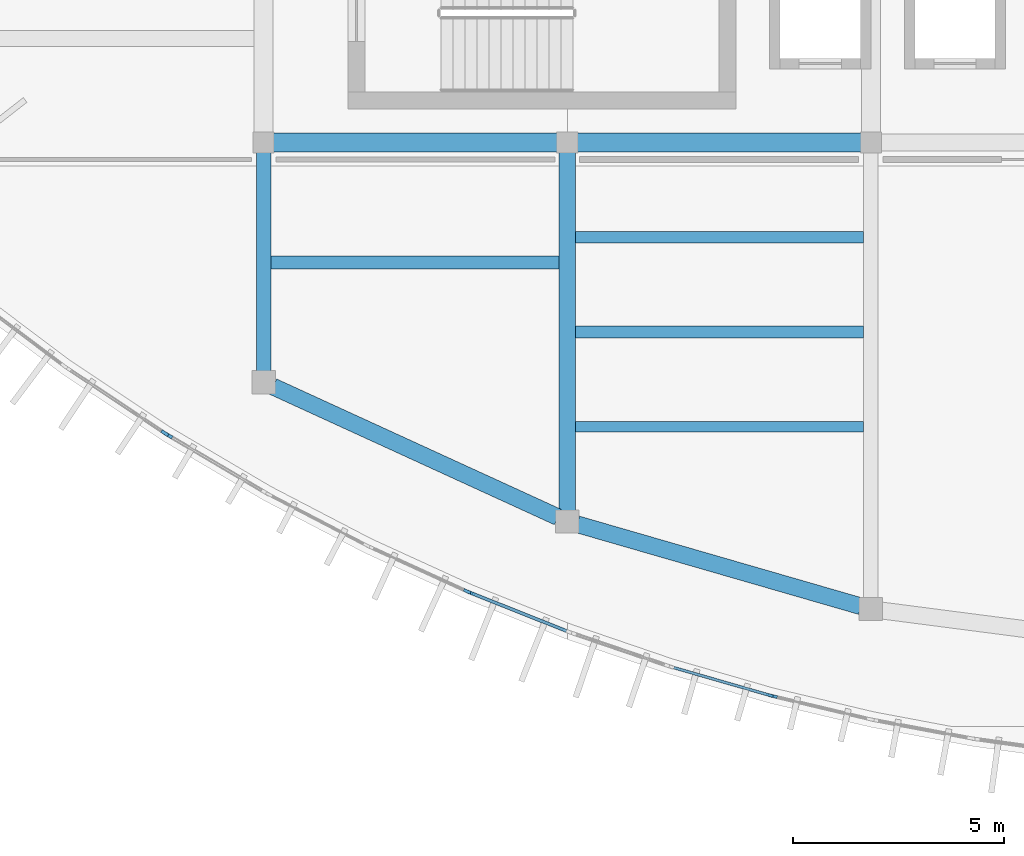
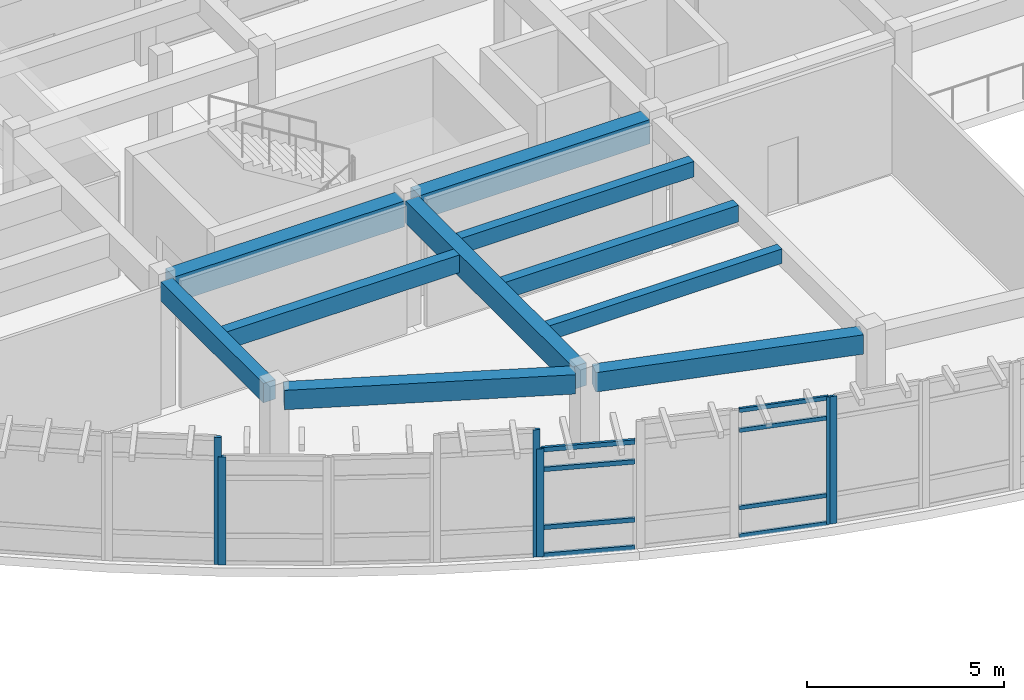
# One storey, part 19 of 60: 14 members, 10 beams, 6 elements without a shape of their own.
"""IFC4 building model written with IfcOpenShell, lengths in metres."""

from ifc_helpers import new_model, si_unit, direction, frame, origin, origin_2d, place, context, subcontext, project, spatial, rectangle, extrude, material, layer, layer_set, material_profile, profile_set, type_object, element, aggregate, save


model = new_model("IFC4")

# Units and contexts
model_context = context("Model", 3, precision=1e-05, world=origin(), true_north=direction((0.0, 1.0)))
body_context = subcontext(model_context, "Body", "Model", "MODEL_VIEW")
ifc_project = project(units=[si_unit("LENGTHUNIT", "METRE"), si_unit("AREAUNIT", "SQUARE_METRE"), si_unit("VOLUMEUNIT", "CUBIC_METRE"), si_unit("PLANEANGLEUNIT", "RADIAN"), si_unit("MASSUNIT", "GRAM", prefix="KILO")], contexts=[model_context])

# Site, building, storey
site_placement = place(None, origin())
site = spatial("IfcSite", under=ifc_project, at=site_placement, CompositionType="ELEMENT")
building_placement = place(site_placement, origin())
building = spatial("IfcBuilding", under=site, at=building_placement, Name="Brisavento Harbour Community Centre", CompositionType="ELEMENT")
storey_placement = place(building_placement, frame((0.0, 0.0, 4.5)))
storey = spatial("IfcBuildingStorey", under=building, at=storey_placement, Name="L01", CompositionType="ELEMENT", Elevation=4.5)

# Beams
ifc_material_1 = material(Name="Concrete C35/45", Category="concrete")
ifc_material_profile_1 = material_profile(ifc_material_1, rectangle(XDim=0.25, YDim=0.449951171875, at=origin_2d()), Name="Concrete C35/45")
ifc_profile_set_1 = profile_set([ifc_material_profile_1], Name="Concrete C35/45")
beam_type_1 = type_object("IfcBeamType", Name="BM-JST-250x450", PredefinedType="JOIST", material=ifc_profile_set_1)
beam_1_placement = place(storey_placement, frame((122.60009765625, 8.26123046875, 3.72509765625), z_axis=(1.0, 0.0, 0.0), x_axis=(0.0, 1.0, 0.0)))
element("IfcBeam", 1, at=beam_1_placement, inside=storey, type_object=beam_type_1, Name="L01 secondary floor joist 0255", PredefinedType="JOIST", context=body_context, shape_type="SweptSolid", body=[
    extrude(rectangle(XDim=0.25, YDim=0.449951171875, at=origin_2d()), origin(), (0.0, 0.0, 1.0), 6.824951171875),
])
ifc_material_profile_2 = material_profile(ifc_material_1, rectangle(XDim=0.280029296875, YDim=0.47998046875, at=origin_2d()), Name="Concrete C35/45")
ifc_profile_set_2 = profile_set([ifc_material_profile_2], Name="Concrete C35/45")
beam_type_2 = type_object("IfcBeamType", Name="BM-JST-280x480", PredefinedType="JOIST", material=ifc_profile_set_2)
beam_2_placement = place(storey_placement, frame((122.60009765625, 12.75390625, 3.7099609375), z_axis=(1.0, 0.0, 0.0), x_axis=(0.0, 1.0, 0.0)))
element("IfcBeam", 2, at=beam_2_placement, inside=storey, type_object=beam_type_2, Name="L01 secondary floor joist 0257", PredefinedType="JOIST", context=body_context, shape_type="SweptSolid", body=[
    extrude(rectangle(XDim=0.280029296875, YDim=0.47998046875, at=origin_2d()), origin(), (0.0, 0.0, 1.0), 6.824951171875),
])
ifc_material_profile_3 = material_profile(ifc_material_1, rectangle(XDim=0.280029296875, YDim=0.52001953125, at=origin_2d()), Name="Concrete C35/45")
ifc_profile_set_3 = profile_set([ifc_material_profile_3], Name="Concrete C35/45")
beam_type_3 = type_object("IfcBeamType", Name="BM-JST-280x520", PredefinedType="JOIST", material=ifc_profile_set_3)
beam_3_placement = place(storey_placement, frame((122.60009765625, 10.507568359375, 3.68994140625), z_axis=(1.0, 0.0, 0.0), x_axis=(0.0, 1.0, 0.0)))
element("IfcBeam", 3, at=beam_3_placement, inside=storey, type_object=beam_type_3, Name="L01 secondary floor joist 0256", PredefinedType="JOIST", context=body_context, shape_type="SweptSolid", body=[
    extrude(rectangle(XDim=0.280029296875, YDim=0.52001953125, at=origin_2d()), origin(), (0.0, 0.0, 1.0), 6.824951171875),
])
ifc_material_profile_4 = material_profile(ifc_material_1, rectangle(XDim=0.300048828125, YDim=0.550048828125, at=origin_2d()), Name="Concrete C35/45")
ifc_profile_set_4 = profile_set([ifc_material_profile_4], Name="Concrete C35/45")
beam_type_4 = type_object("IfcBeamType", Name="BM-JST-300x550", PredefinedType="JOIST", material=ifc_profile_set_4)
beam_4_placement = place(storey_placement, frame((115.375, 12.156982421875, 3.675048828125), z_axis=(1.0, 0.0, 0.0), x_axis=(0.0, 1.0, 0.0)))
element("IfcBeam", 4, at=beam_4_placement, inside=storey, type_object=beam_type_4, Name="L01 secondary floor joist 0253", PredefinedType="JOIST", context=body_context, shape_type="SweptSolid", body=[
    extrude(rectangle(XDim=0.300048828125, YDim=0.550048828125, at=origin_2d()), origin(), (0.0, 0.0, 1.0), 6.824951171875),
])
ifc_material_profile_5 = material_profile(ifc_material_1, rectangle(XDim=0.35009765625, YDim=0.60009765625, at=origin_2d()), Name="Concrete C35/45")
ifc_profile_set_5 = profile_set([ifc_material_profile_5], Name="Concrete C35/45")
beam_type_5 = type_object("IfcBeamType", Name="BM-RC-350x600", PredefinedType="BEAM", material=ifc_profile_set_5)
beam_5_placement = place(storey_placement, frame((115.199951171875, 9.55908203125, 3.64990234375), z_axis=(0.0, 1.0, 0.0), x_axis=(-1.0, 0.0, 0.0)))
element("IfcBeam", 5, at=beam_5_placement, inside=storey, type_object=beam_type_5, Name="L01 primary girder Y0504", PredefinedType="BEAM", context=body_context, shape_type="SweptSolid", body=[
    extrude(rectangle(XDim=0.35009765625, YDim=0.60009765625, at=origin_2d()), origin(), (0.0, 0.0, 1.0), 5.220947265625),
])
ifc_material_profile_6 = material_profile(ifc_material_1, rectangle(XDim=0.39990234375, YDim=0.699951171875, at=origin_2d()), Name="Concrete C35/45")
ifc_profile_set_6 = profile_set([ifc_material_profile_6], Name="Concrete C35/45")
beam_type_6 = type_object("IfcBeamType", Name="BM-RC-400x700", PredefinedType="BEAM", material=ifc_profile_set_6)
beam_6_placement = place(storey_placement, frame((122.39990234375, 6.260009765625, 3.60009765625), z_axis=(0.0, 1.0, 0.0), x_axis=(-1.0, 0.0, 0.0)))
element("IfcBeam", 6, at=beam_6_placement, inside=storey, type_object=beam_type_6, Name="L01 primary girder Y0507", PredefinedType="BEAM", context=body_context, shape_type="SweptSolid", body=[
    extrude(rectangle(XDim=0.39990234375, YDim=0.699951171875, at=origin_2d()), origin(), (0.0, 0.0, 1.0), 8.52001953125),
])
ifc_material_profile_7 = material_profile(ifc_material_1, rectangle(XDim=0.449951171875, YDim=0.75, at=origin_2d()), Name="Concrete C35/45")
ifc_profile_set_7 = profile_set([ifc_material_profile_7], Name="Concrete C35/45")
beam_type_7 = type_object("IfcBeamType", Name="BM-RC-450x750", PredefinedType="BEAM", material=ifc_profile_set_7)
beam_7_placement = place(storey_placement, frame((122.6201171875, 15.0, 3.574951171875), z_axis=(1.0, 0.0, 0.0), x_axis=(0.0, 1.0, 0.0)))
element("IfcBeam", 7, at=beam_7_placement, inside=storey, type_object=beam_type_7, Name="L01 primary girder X0411", PredefinedType="BEAM", context=body_context, shape_type="SweptSolid", body=[
    extrude(rectangle(XDim=0.449951171875, YDim=0.75, at=origin_2d()), origin(), (0.0, 0.0, 1.0), 6.759765625),
])
ifc_material_profile_8 = material_profile(ifc_material_1, rectangle(XDim=0.449951171875, YDim=0.800048828125, at=origin_2d()), Name="Concrete C35/45")
ifc_profile_set_8 = profile_set([ifc_material_profile_8], Name="Concrete C35/45")
beam_type_8 = type_object("IfcBeamType", Name="BM-RC-450x800", PredefinedType="BEAM", material=ifc_profile_set_8)
beam_8_placement = place(storey_placement, frame((115.419921875, 15.0, 3.550048828125), z_axis=(1.0, 0.0, 0.0), x_axis=(0.0, 1.0, 0.0)))
element("IfcBeam", 8, at=beam_8_placement, inside=storey, type_object=beam_type_8, Name="L01 primary girder X0410", PredefinedType="BEAM", context=body_context, shape_type="SweptSolid", body=[
    extrude(rectangle(XDim=0.449951171875, YDim=0.800048828125, at=origin_2d()), origin(), (0.0, 0.0, 1.0), 6.760009765625),
])
ifc_material_profile_9 = material_profile(ifc_material_1, rectangle(XDim=0.39990234375, YDim=0.60009765625, at=origin_2d()), Name="Concrete C35/45")
ifc_profile_set_9 = profile_set([ifc_material_profile_9], Name="Concrete C35/45")
beam_type_9 = type_object("IfcBeamType", Name="BM-SPN-400x600", PredefinedType="SPANDREL", material=ifc_profile_set_9)
beam_9_placement = place(storey_placement, frame((115.422607421875, 9.2119140625, 3.64990234375), z_axis=(0.909123414107, -0.416526851383, 0.0), x_axis=(0.416526851383, 0.909123414107, 0.0)))
element("IfcBeam", 9, at=beam_9_placement, inside=storey, type_object=beam_type_9, Name="L01 curved perimeter spandrel 0537", PredefinedType="SPANDREL", context=body_context, shape_type="SweptSolid", body=[
    extrude(rectangle(XDim=0.39990234375, YDim=0.60009765625, at=origin_2d()), origin(), (0.0, 0.0, 1.0), 7.429931640625),
])
beam_10_placement = place(storey_placement, frame((122.635498046875, 5.947021484375, 3.64990234375), z_axis=(0.960671007691, -0.277689061689, 0.0), x_axis=(0.277689061689, 0.960671007691, 0.0)))
element("IfcBeam", 10, at=beam_10_placement, inside=storey, type_object=beam_type_9, Name="L01 curved perimeter spandrel 0538", PredefinedType="SPANDREL", context=body_context, shape_type="SweptSolid", body=[
    extrude(rectangle(XDim=0.39990234375, YDim=0.60009765625, at=origin_2d()), origin(), (0.0, 0.0, 1.0), 7.00439453125),
])

# Curtain wall, member
ifc_material_2 = material(Name="Marine-anodised aluminium AW-6063-T6", Category="aluminium")
ifc_layer_1 = layer(ifc_material_2, 0.179931640625, Name="Marine-anodised aluminium AW-6063-T6")
ifc_layer_set_1 = layer_set([ifc_layer_1], Name="Marine-anodised aluminium AW-6063-T6")
curtain_wall_type_1 = type_object("IfcCurtainWallType", Name="CW-SYS-09", PredefinedType="USERDEFINED", material=ifc_layer_set_1)
curtain_wall_1_placement = place(storey_placement, origin())
curtain_wall_1 = element("IfcCurtainWall", 11, at=curtain_wall_1_placement, inside=storey, type_object=curtain_wall_type_1, Name="L01 V3 unitised curtain wall 065", ObjectType="UNITISED CURTAIN WALL", PredefinedType="USERDEFINED")
ifc_material_profile_10 = material_profile(ifc_material_2, rectangle(XDim=0.06494140625, YDim=0.1650390625, at=origin_2d()), Name="Marine-anodised aluminium AW-6063-T6")
ifc_profile_set_10 = profile_set([ifc_material_profile_10], Name="Marine-anodised aluminium AW-6063-T6")
member_type_1 = type_object("IfcMemberType", Name="CWM-01", PredefinedType="MULLION", material=ifc_profile_set_10)
member_1_placement = place(storey_placement, frame((127.201416015625, 1.89013671875, 0.0), z_axis=(0.0, 0.0, 1.0), x_axis=(-0.277000545402, -0.960869761126, 0.0)))
member_1 = element("IfcMember", 12, at=member_1_placement, type_object=member_type_1, Name="CW-09 mullion 1", PredefinedType="MULLION", context=body_context, shape_type="SweptSolid", body=[
    extrude(rectangle(XDim=0.06494140625, YDim=0.1650390625, at=origin_2d()), origin(), (0.0, 0.0, 1.0), 3.949951171875),
])

ifc_layer_2 = layer(ifc_material_2, 0.179931640625, Name="Marine-anodised aluminium AW-6063-T6")
ifc_layer_set_2 = layer_set([ifc_layer_2], Name="Marine-anodised aluminium AW-6063-T6")
curtain_wall_type_2 = type_object("IfcCurtainWallType", Name="CW-SYS-06", PredefinedType="USERDEFINED", material=ifc_layer_set_2)
curtain_wall_2_placement = place(storey_placement, origin())
curtain_wall_2 = element("IfcCurtainWall", 13, at=curtain_wall_2_placement, inside=storey, type_object=curtain_wall_type_2, Name="L01 V3 unitised curtain wall 062", ObjectType="UNITISED CURTAIN WALL", PredefinedType="USERDEFINED")
ifc_material_profile_11 = material_profile(ifc_material_2, rectangle(XDim=0.070068359375, YDim=0.179931640625, at=origin_2d()), Name="Marine-anodised aluminium AW-6063-T6")
ifc_profile_set_11 = profile_set([ifc_material_profile_11], Name="Marine-anodised aluminium AW-6063-T6")
member_type_2 = type_object("IfcMemberType", Name="CWM-02", PredefinedType="MULLION", material=ifc_profile_set_11)
member_2_placement = place(storey_placement, frame((120.026611328125, 4.3544921875, 0.0), z_axis=(0.0, 0.0, 1.0), x_axis=(-0.415490040189, -0.909597727846, 0.0)))
member_2 = element("IfcMember", 14, at=member_2_placement, type_object=member_type_2, Name="CW-06 mullion 1", PredefinedType="MULLION", context=body_context, shape_type="SweptSolid", body=[
    extrude(rectangle(XDim=0.070068359375, YDim=0.179931640625, at=origin_2d()), origin(), (0.0, 0.0, 1.0), 3.949951171875),
])
aggregate(curtain_wall_2, [member_2])

ifc_layer_3 = layer(ifc_material_2, 0.179931640625, Name="Marine-anodised aluminium AW-6063-T6")
ifc_layer_set_3 = layer_set([ifc_layer_3], Name="Marine-anodised aluminium AW-6063-T6")
curtain_wall_type_3 = type_object("IfcCurtainWallType", Name="CW-SYS-10", PredefinedType="USERDEFINED", material=ifc_layer_set_3)
curtain_wall_3_placement = place(storey_placement, origin())
curtain_wall_3 = element("IfcCurtainWall", 15, at=curtain_wall_3_placement, inside=storey, type_object=curtain_wall_type_3, Name="L01 V3 unitised curtain wall 066", ObjectType="UNITISED CURTAIN WALL", PredefinedType="USERDEFINED")
member_3_placement = place(storey_placement, frame((127.293212890625, 1.8662109375, 0.0), z_axis=(0.0, 0.0, 1.0), x_axis=(-0.230804675748, -0.973000103624, 0.0)))
member_3 = element("IfcMember", 16, at=member_3_placement, type_object=member_type_2, Name="CW-10 mullion 2", PredefinedType="MULLION", context=body_context, shape_type="SweptSolid", body=[
    extrude(rectangle(XDim=0.070068359375, YDim=0.179931640625, at=origin_2d()), origin(), (0.0, 0.0, 1.0), 3.949951171875),
])
aggregate(curtain_wall_3, [member_3])

ifc_layer_4 = layer(ifc_material_2, 0.179931640625, Name="Marine-anodised aluminium AW-6063-T6")
ifc_layer_set_4 = layer_set([ifc_layer_4], Name="Marine-anodised aluminium AW-6063-T6")
curtain_wall_type_4 = type_object("IfcCurtainWallType", Name="CW-SYS-03", PredefinedType="USERDEFINED", material=ifc_layer_set_4)
curtain_wall_4_placement = place(storey_placement, origin())
curtain_wall_4 = element("IfcCurtainWall", 17, at=curtain_wall_4_placement, inside=storey, type_object=curtain_wall_type_4, Name="L01 V3 unitised curtain wall 059", ObjectType="UNITISED CURTAIN WALL", PredefinedType="USERDEFINED")
ifc_material_profile_12 = material_profile(ifc_material_2, rectangle(XDim=0.074951171875, YDim=0.18994140625, at=origin_2d()), Name="Marine-anodised aluminium AW-6063-T6")
ifc_profile_set_12 = profile_set([ifc_material_profile_12], Name="Marine-anodised aluminium AW-6063-T6")
member_type_3 = type_object("IfcMemberType", Name="CWM-03", PredefinedType="MULLION", material=ifc_profile_set_12)
member_4_placement = place(storey_placement, frame((112.853515625, 8.10986328125, 0.0), z_axis=(0.0, 0.0, 1.0), x_axis=(-0.554067779199, -0.832471558705, 0.0)))
member_4 = element("IfcMember", 18, at=member_4_placement, type_object=member_type_3, Name="CW-03 mullion 1", PredefinedType="MULLION", context=body_context, shape_type="SweptSolid", body=[
    extrude(rectangle(XDim=0.074951171875, YDim=0.18994140625, at=origin_2d()), origin(), (0.0, 0.0, 1.0), 3.949951171875),
])
aggregate(curtain_wall_4, [member_4])

ifc_layer_5 = layer(ifc_material_2, 0.179931640625, Name="Marine-anodised aluminium AW-6063-T6")
ifc_layer_set_5 = layer_set([ifc_layer_5], Name="Marine-anodised aluminium AW-6063-T6")
curtain_wall_type_5 = type_object("IfcCurtainWallType", Name="CW-SYS-07", PredefinedType="USERDEFINED", material=ifc_layer_set_5)
curtain_wall_5_placement = place(storey_placement, origin())
curtain_wall_5 = element("IfcCurtainWall", 19, at=curtain_wall_5_placement, inside=storey, type_object=curtain_wall_type_5, Name="L01 V3 unitised curtain wall 063", ObjectType="UNITISED CURTAIN WALL", PredefinedType="USERDEFINED")
member_5_placement = place(storey_placement, frame((120.1181640625, 4.3154296875, 0.0), z_axis=(0.0, 0.0, 1.0), x_axis=(-0.369379094613, -0.929278798027, 0.0)))
member_5 = element("IfcMember", 20, at=member_5_placement, type_object=member_type_3, Name="CW-07 mullion 2", PredefinedType="MULLION", context=body_context, shape_type="SweptSolid", body=[
    extrude(rectangle(XDim=0.074951171875, YDim=0.18994140625, at=origin_2d()), origin(), (0.0, 0.0, 1.0), 3.35009765625),
])

ifc_layer_6 = layer(ifc_material_2, 0.179931640625, Name="Marine-anodised aluminium AW-6063-T6")
ifc_layer_set_6 = layer_set([ifc_layer_6], Name="Marine-anodised aluminium AW-6063-T6")
curtain_wall_type_6 = type_object("IfcCurtainWallType", Name="CW-SYS-04", PredefinedType="USERDEFINED", material=ifc_layer_set_6)
curtain_wall_6_placement = place(storey_placement, origin())
curtain_wall_6 = element("IfcCurtainWall", 21, at=curtain_wall_6_placement, inside=storey, type_object=curtain_wall_type_6, Name="L01 V3 unitised curtain wall 060", ObjectType="UNITISED CURTAIN WALL", PredefinedType="USERDEFINED")
ifc_material_profile_13 = material_profile(ifc_material_2, rectangle(XDim=0.080078125, YDim=0.2099609375, at=origin_2d()), Name="Marine-anodised aluminium AW-6063-T6")
ifc_profile_set_13 = profile_set([ifc_material_profile_13], Name="Marine-anodised aluminium AW-6063-T6")
member_type_4 = type_object("IfcMemberType", Name="CWM-04", PredefinedType="MULLION", material=ifc_profile_set_13)
member_6_placement = place(storey_placement, frame((112.94140625, 8.0546875, 0.0), z_axis=(0.0, 0.0, 1.0), x_axis=(-0.50787640703, -0.861429947925, 0.0)))
member_6 = element("IfcMember", 22, at=member_6_placement, type_object=member_type_4, Name="CW-04 mullion 2", PredefinedType="MULLION", context=body_context, shape_type="SweptSolid", body=[
    extrude(rectangle(XDim=0.080078125, YDim=0.2099609375, at=origin_2d()), origin(), (0.0, 0.0, 1.0), 3.35009765625),
])
aggregate(curtain_wall_6, [member_6])

# Member
ifc_material_profile_14 = material_profile(ifc_material_2, rectangle(XDim=0.06494140625, YDim=0.125, at=origin_2d()), Name="Marine-anodised aluminium AW-6063-T6")
ifc_profile_set_14 = profile_set([ifc_material_profile_14], Name="Marine-anodised aluminium AW-6063-T6")
member_type_5 = type_object("IfcMemberType", Name="CWT-01", PredefinedType="USERDEFINED", material=ifc_profile_set_14)
member_7_placement = place(storey_placement, frame((127.170166015625, 1.899169921875, 0.032470703125), z_axis=(-0.960857364899, 0.277043542282, 0.0), x_axis=(-0.277043542282, -0.960857364899, 0.0)))
member_7 = element("IfcMember", 23, at=member_7_placement, type_object=member_type_5, Name="CW-09 transom 1.1", ObjectType="TRANSOM", PredefinedType="USERDEFINED", context=body_context, shape_type="SweptSolid", body=[
    extrude(rectangle(XDim=0.06494140625, YDim=0.125, at=origin_2d()), origin(), (0.0, 0.0, 1.0), 2.331787109375),
])

member_8_placement = place(storey_placement, frame((127.170166015625, 1.899169921875, 0.89990234375), z_axis=(-0.960857364899, 0.277043542282, 0.0), x_axis=(-0.277043542282, -0.960857364899, 0.0)))
member_8 = element("IfcMember", 24, at=member_8_placement, type_object=member_type_5, Name="CW-09 transom 1.2", ObjectType="TRANSOM", PredefinedType="USERDEFINED", context=body_context, shape_type="SweptSolid", body=[
    extrude(rectangle(XDim=0.06494140625, YDim=0.125, at=origin_2d()), origin(), (0.0, 0.0, 1.0), 2.331787109375),
])

member_9_placement = place(storey_placement, frame((127.170166015625, 1.899169921875, 3.300048828125), z_axis=(-0.960857364899, 0.277043542282, 0.0), x_axis=(-0.277043542282, -0.960857364899, 0.0)))
member_9 = element("IfcMember", 25, at=member_9_placement, type_object=member_type_5, Name="CW-09 transom 1.3", ObjectType="TRANSOM", PredefinedType="USERDEFINED", context=body_context, shape_type="SweptSolid", body=[
    extrude(rectangle(XDim=0.06494140625, YDim=0.125, at=origin_2d()), origin(), (0.0, 0.0, 1.0), 2.331787109375),
])

member_10_placement = place(storey_placement, frame((127.170166015625, 1.899169921875, 3.91748046875), z_axis=(-0.960857364899, 0.277043542282, 0.0), x_axis=(-0.277043542282, -0.960857364899, 0.0)))
member_10 = element("IfcMember", 26, at=member_10_placement, type_object=member_type_5, Name="CW-09 transom 1.4", ObjectType="TRANSOM", PredefinedType="USERDEFINED", context=body_context, shape_type="SweptSolid", body=[
    extrude(rectangle(XDim=0.06494140625, YDim=0.125, at=origin_2d()), origin(), (0.0, 0.0, 1.0), 2.331787109375),
])

aggregate(curtain_wall_1, [member_1, member_7, member_8, member_9, member_10])

ifc_material_profile_15 = material_profile(ifc_material_2, rectangle(XDim=0.074951171875, YDim=0.139892578125, at=origin_2d()), Name="Marine-anodised aluminium AW-6063-T6")
ifc_profile_set_15 = profile_set([ifc_material_profile_15], Name="Marine-anodised aluminium AW-6063-T6")
member_type_6 = type_object("IfcMemberType", Name="CWT-03", PredefinedType="USERDEFINED", material=ifc_profile_set_15)
member_11_placement = place(storey_placement, frame((122.380126953125, 3.416259765625, 0.03759765625), z_axis=(-0.929289353883, 0.369352537233, 0.0), x_axis=(-0.369352537233, -0.929289353883, 0.0)))
member_11 = element("IfcMember", 27, at=member_11_placement, type_object=member_type_6, Name="CW-07 transom 1.1", ObjectType="TRANSOM", PredefinedType="USERDEFINED", context=body_context, shape_type="SweptSolid", body=[
    extrude(rectangle(XDim=0.074951171875, YDim=0.139892578125, at=origin_2d()), origin(), (0.0, 0.0, 1.0), 2.396728515625),
])

member_12_placement = place(storey_placement, frame((122.380126953125, 3.416259765625, 0.89990234375), z_axis=(-0.929289353883, 0.369352537233, 0.0), x_axis=(-0.369352537233, -0.929289353883, 0.0)))
member_12 = element("IfcMember", 28, at=member_12_placement, type_object=member_type_6, Name="CW-07 transom 1.2", ObjectType="TRANSOM", PredefinedType="USERDEFINED", context=body_context, shape_type="SweptSolid", body=[
    extrude(rectangle(XDim=0.074951171875, YDim=0.139892578125, at=origin_2d()), origin(), (0.0, 0.0, 1.0), 2.396728515625),
])

member_13_placement = place(storey_placement, frame((122.380126953125, 3.416259765625, 2.699951171875), z_axis=(-0.929289353883, 0.369352537233, 0.0), x_axis=(-0.369352537233, -0.929289353883, 0.0)))
member_13 = element("IfcMember", 29, at=member_13_placement, type_object=member_type_6, Name="CW-07 transom 1.3", ObjectType="TRANSOM", PredefinedType="USERDEFINED", context=body_context, shape_type="SweptSolid", body=[
    extrude(rectangle(XDim=0.074951171875, YDim=0.139892578125, at=origin_2d()), origin(), (0.0, 0.0, 1.0), 2.396728515625),
])

member_14_placement = place(storey_placement, frame((122.380126953125, 3.416259765625, 3.3125), z_axis=(-0.929289353883, 0.369352537233, 0.0), x_axis=(-0.369352537233, -0.929289353883, 0.0)))
member_14 = element("IfcMember", 30, at=member_14_placement, type_object=member_type_6, Name="CW-07 transom 1.4", ObjectType="TRANSOM", PredefinedType="USERDEFINED", context=body_context, shape_type="SweptSolid", body=[
    extrude(rectangle(XDim=0.074951171875, YDim=0.139892578125, at=origin_2d()), origin(), (0.0, 0.0, 1.0), 2.396728515625),
])

aggregate(curtain_wall_5, [member_5, member_11, member_12, member_13, member_14])

save(model, "model.ifc")
